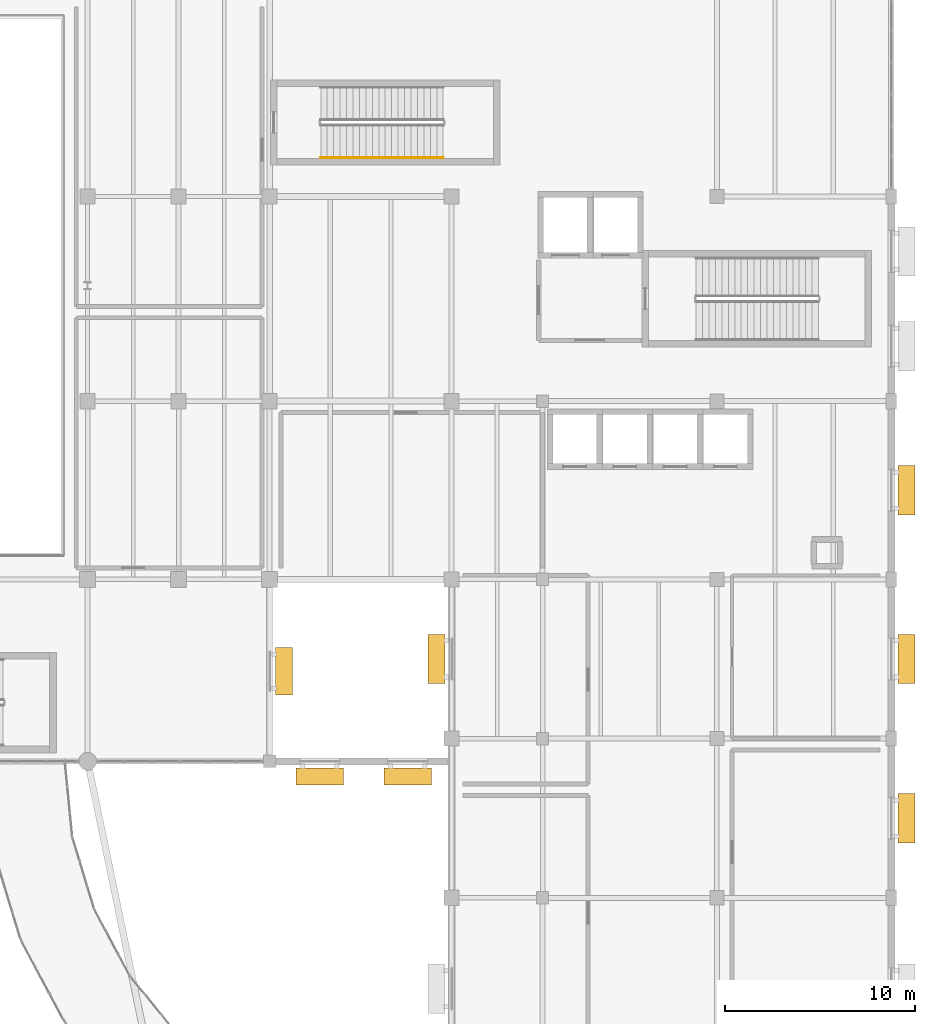
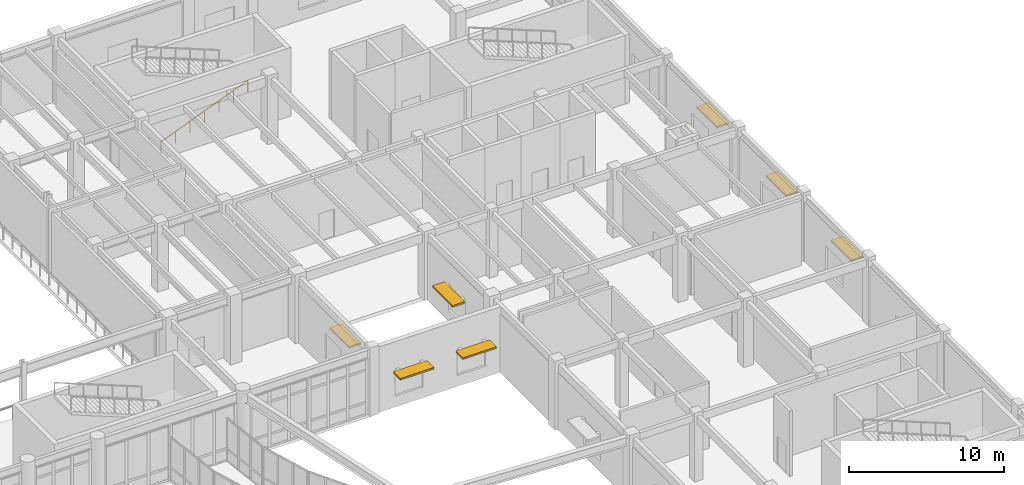
# One storey, part 71 of 72: 7 shading devices, 1 railing.
"""IFC4 building model written with IfcOpenShell, lengths in metres."""

from ifc_helpers import new_model, si_unit, direction, frame, origin, origin_2d, place, context, subcontext, project, spatial, rectangle, circle, extrude, material, type_object, element, save


model = new_model("IFC4")

# Units and contexts
model_context = context("Model", 3, precision=1e-05, world=origin(), true_north=direction((0.0, 1.0)))
body_context = subcontext(model_context, "Body", "Model", "MODEL_VIEW")
ifc_project = project(units=[si_unit("LENGTHUNIT", "METRE"), si_unit("AREAUNIT", "SQUARE_METRE"), si_unit("VOLUMEUNIT", "CUBIC_METRE"), si_unit("PLANEANGLEUNIT", "RADIAN"), si_unit("MASSUNIT", "GRAM", prefix="KILO")], contexts=[model_context])

# Site, building, storey
site_placement = place(None, origin())
site = spatial("IfcSite", under=ifc_project, at=site_placement, CompositionType="ELEMENT")
building_placement = place(site_placement, origin())
building = spatial("IfcBuilding", under=site, at=building_placement, Name="Veldera Park Congress Hotel", CompositionType="ELEMENT")
storey_placement = place(building_placement, frame((0.0, 0.0, 5.39990234375)))
storey = spatial("IfcBuildingStorey", under=building, at=storey_placement, Name="L01", CompositionType="ELEMENT", Elevation=5.39990234375)

# Railing
ifc_material_1 = material(Name="Steel ASTM A992 Gr.50", Category="steel")
railing_type = type_object("IfcRailingType", Name="HRL-920", PredefinedType="HANDRAIL", material=ifc_material_1)
railing_placement = place(storey_placement, frame((53.89990234375, 49.25, 0.135009765625)))
element("IfcRailing", 1, at=railing_placement, inside=storey, type_object=railing_type, Name="L01 ST3 stair handrail 1", PredefinedType="HANDRAIL", context=body_context, shape_type="SweptSolid", body=[
    extrude(circle(Radius=0.02392578125, at=origin_2d()), frame((0.0, 0.0, 0.89599609375), z_axis=(0.929411175501, 0.0, 0.369045887192), x_axis=(0.0, 1.0, 0.0)), (0.0, 0.0, 1.0), 6.950927734375),
    extrude(circle(Radius=0.02099609375, at=origin_2d()), origin(), (0.0, 0.0, 1.0), 0.871826171875),
    extrude(circle(Radius=0.02099609375, at=origin_2d()), frame((1.07666015625, 0.0, 0.427490234375)), (0.0, 0.0, 1.0), 0.871826171875),
    extrude(circle(Radius=0.02099609375, at=origin_2d()), frame((2.1533203125, 0.0, 0.85498046875)), (0.0, 0.0, 1.0), 0.871826171875),
    extrude(circle(Radius=0.02099609375, at=origin_2d()), frame((3.22998046875, 0.0, 1.28271484375)), (0.0, 0.0, 1.0), 0.871826171875),
    extrude(circle(Radius=0.02099609375, at=origin_2d()), frame((4.306884765625, 0.0, 1.710205078125)), (0.0, 0.0, 1.0), 0.871826171875),
    extrude(circle(Radius=0.02099609375, at=origin_2d()), frame((5.383544921875, 0.0, 2.1376953125)), (0.0, 0.0, 1.0), 0.871826171875),
    extrude(circle(Radius=0.02099609375, at=origin_2d()), frame((6.460205078125, 0.0, 2.565185546875)), (0.0, 0.0, 1.0), 0.871826171875),
])

# Shading devices
ifc_material_2 = material(Name="Glulam GL28h (NDS 24F-V4)", Category="wood")
shading_device_type = type_object("IfcShadingDeviceType", Name="SHD-SHF450", PredefinedType="AWNING", material=ifc_material_2)
shading_device_1_placement = place(storey_placement, frame((51.969970703125, 22.14990234375, 2.81005859375), z_axis=(0.0, 0.0, 1.0), x_axis=(0.0, 1.0, 0.0)))
element("IfcShadingDevice", 2, at=shading_device_1_placement, inside=storey, type_object=shading_device_type, Name="Glulam Solar Shade 49", PredefinedType="AWNING", context=body_context, shape_type="SweptSolid", body=[
    extrude(rectangle(XDim=2.5, YDim=0.89990234375, at=origin_2d()), origin(), (0.0, 0.0, 1.0), 0.139892578125),
])
for number, where, z_axis, x_axis, name in (
    (3, (84.7900390625, 14.39990234375, 2.8603515625), (0.0, 0.0, 1.0), (0.0, 1.0, 0.0), "Glulam Solar Shade 110"),
    (4, (84.7900390625, 22.800048828125, 2.8603515625), (0.0, 0.0, 1.0), (0.0, 1.0, 0.0), "Glulam Solar Shade 111"),
    (5, (84.7900390625, 31.699951171875, 2.8603515625), (0.0, 0.0, 1.0), (0.0, 1.0, 0.0), "Glulam Solar Shade 112"),
):
    element("IfcShadingDevice", number, at=place(storey_placement, frame(where, z_axis=z_axis, x_axis=x_axis)), inside=storey, type_object=shading_device_type, Name=name, PredefinedType="AWNING", context=body_context, shape_type="SweptSolid", body=[
        extrude(rectangle(XDim=2.60009765625, YDim=0.89990234375, at=origin_2d()), origin(), (0.0, 0.0, 1.0), 0.139892578125),
    ])
for number, where, z_axis, x_axis, name in (
    (6, (53.84228515625, 16.610107421875, 2.81005859375), (0.0, 0.0, 1.0), (1.0, 0.0, 0.0), "Glulam Solar Shade 115"),
    (7, (58.480712890625, 16.610107421875, 2.81005859375), (0.0, 0.0, 1.0), (1.0, 0.0, 0.0), "Glulam Solar Shade 116"),
):
    element("IfcShadingDevice", number, at=place(storey_placement, frame(where, z_axis=z_axis, x_axis=x_axis)), inside=storey, type_object=shading_device_type, Name=name, PredefinedType="AWNING", context=body_context, shape_type="SweptSolid", body=[
        extrude(rectangle(XDim=2.5, YDim=0.89990234375, at=origin_2d()), origin(), (0.0, 0.0, 1.0), 0.139892578125),
    ])
shading_device_2_placement = place(storey_placement, frame((60.010009765625, 22.800048828125, 2.8603515625), z_axis=(0.0, 0.0, 1.0), x_axis=(0.0, -1.0, 0.0)))
element("IfcShadingDevice", 8, at=shading_device_2_placement, inside=storey, type_object=shading_device_type, Name="Glulam Solar Shade 117", PredefinedType="AWNING", context=body_context, shape_type="SweptSolid", body=[
    extrude(rectangle(XDim=2.60009765625, YDim=0.89990234375, at=origin_2d()), origin(), (0.0, 0.0, 1.0), 0.139892578125),
])

save(model, "model.ifc")
